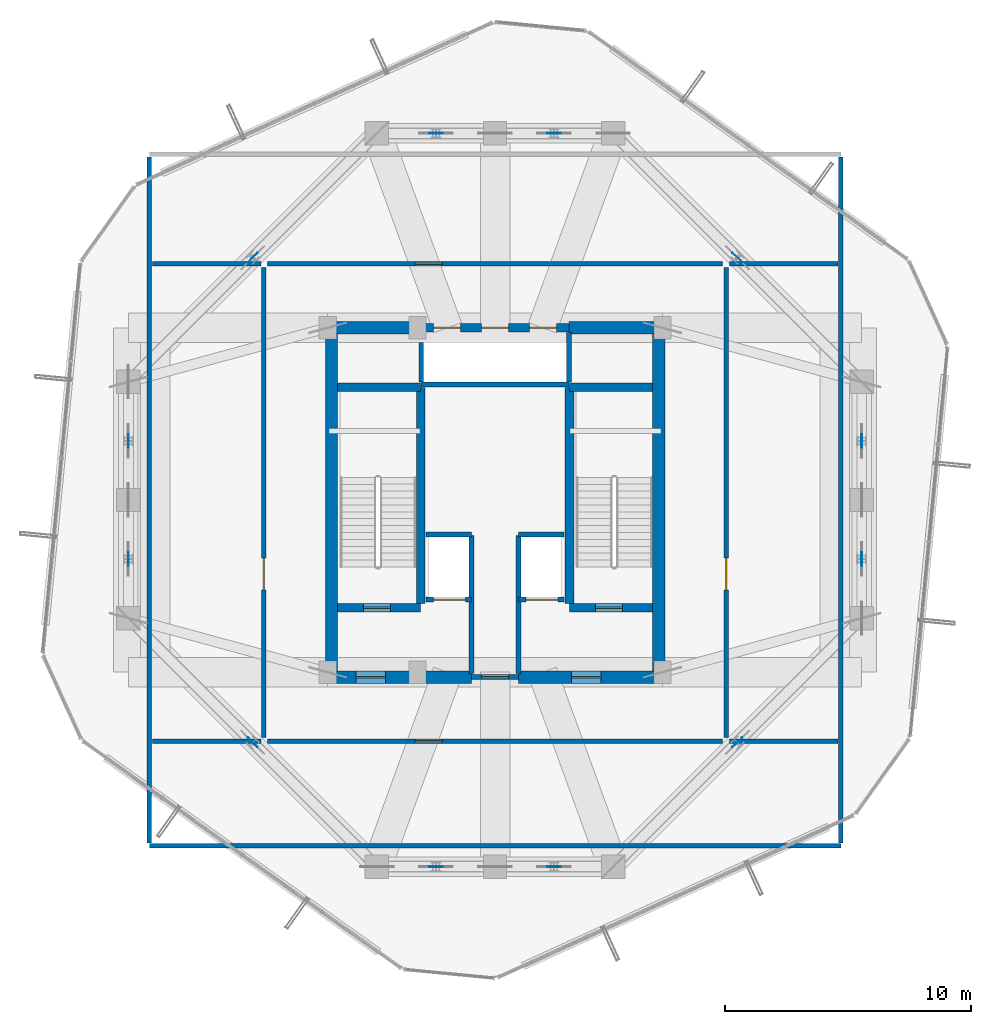
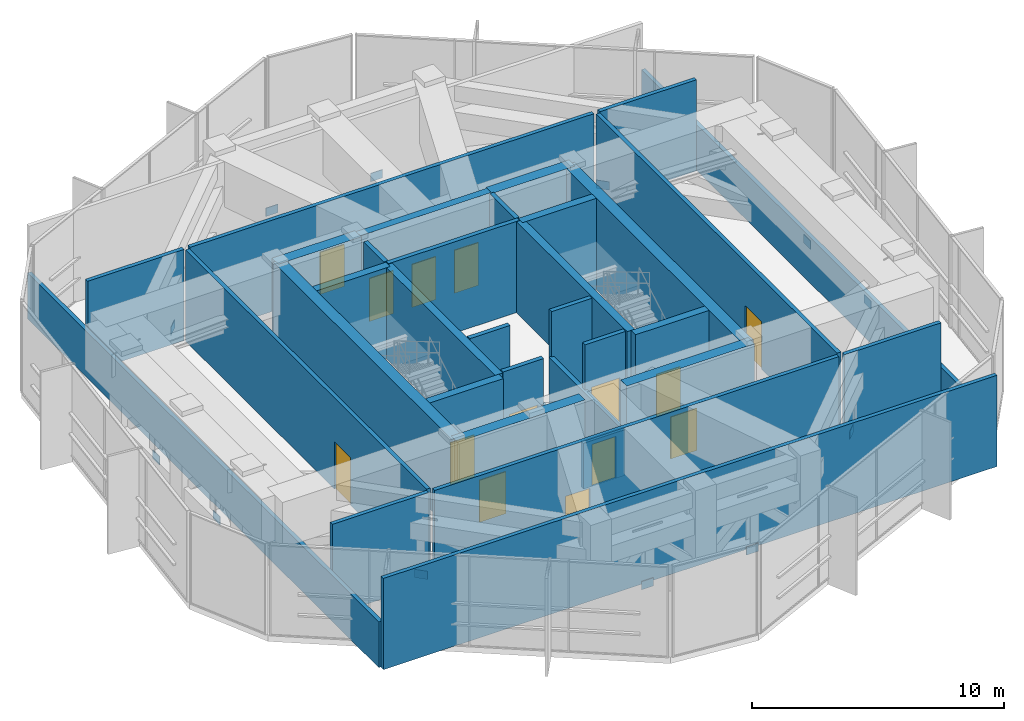
# One storey, part 28 of 31: 34 walls, 14 doors, 12 plates, 14 openings.
"""IFC4 building model written with IfcOpenShell, lengths in metres."""

from ifc_helpers import new_model, si_unit, direction, frame, frame_2d, origin, origin_2d, place, context, subcontext, project, spatial, rectangle, extrude, source, transform, mapped, material, layer, layer_set, type_object, element, fill, save


model = new_model("IFC4")

# Units and contexts
model_context = context("Model", 3, precision=1e-05, world=origin(), true_north=direction((0.0, 1.0)))
body_context = subcontext(model_context, "Body", "Model", "MODEL_VIEW")
ifc_project = project(units=[si_unit("LENGTHUNIT", "METRE"), si_unit("AREAUNIT", "SQUARE_METRE"), si_unit("VOLUMEUNIT", "CUBIC_METRE"), si_unit("PLANEANGLEUNIT", "RADIAN"), si_unit("MASSUNIT", "GRAM", prefix="KILO")], contexts=[model_context])

# Site, building, storey
site_placement = place(None, origin())
site = spatial("IfcSite", under=ifc_project, at=site_placement, CompositionType="ELEMENT")
building_placement = place(site_placement, origin())
building = spatial("IfcBuilding", under=site, at=building_placement, Name="Veraguas Prism Commons", CompositionType="ELEMENT")
storey_placement = place(building_placement, frame((0.0, 0.0, 225.39990234375)))
storey = spatial("IfcBuildingStorey", under=building, at=storey_placement, Name="L64", CompositionType="ELEMENT", Elevation=225.39990234375)

# Plates
ifc_material_1 = material(Name="Steel ASTM A572 Grade 50", Category="steel")
ifc_layer_1 = layer(ifc_material_1, 0.030029296875, Name="Hollow Brace End Cap Plate 550x400x30", Category="steel")
ifc_layer_set_1 = layer_set([ifc_layer_1], Name="Steel ASTM A572 Grade 50")
plate_type = type_object("IfcPlateType", Name="Hollow Brace End Cap Plate 550x400x30", PredefinedType="USERDEFINED", material=ifc_layer_set_1)
shared_shape_1 = source(origin(), body_context, "Body", "SweptSolid", [
    extrude(rectangle(XDim=0.550048828125, YDim=0.030029296875, at=origin_2d()), origin(), (0.0, 0.0, 1.0), 0.39990234375),
])
for number, where, z_axis, x_axis, name in (
    (1, (38.89990234375, 21.60009765625, 0.35009765625), (0.0, 0.0, 1.0), (0.0, 1.0, 0.0), "Hollow Brace End Cap Plate L64-01"),
    (2, (38.89990234375, 26.39990234375, 0.35009765625), (0.0, 0.0, 1.0), (0.0, 1.0, 0.0), "Hollow Brace End Cap Plate L64-02"),
    (3, (33.85009765625, 33.85009765625, 0.35009765625), (0.0, 0.0, 1.0), (-0.707106781187, 0.707106781187, 0.0), "Hollow Brace End Cap Plate L64-03"),
    (4, (26.39990234375, 38.89990234375, 0.35009765625), (0.0, 0.0, 1.0), (-1.0, 0.0, 0.0), "Hollow Brace End Cap Plate L64-04"),
    (5, (21.60009765625, 38.89990234375, 0.35009765625), (0.0, 0.0, 1.0), (-1.0, 0.0, 0.0), "Hollow Brace End Cap Plate L64-05"),
    (6, (14.14990234375, 33.85009765625, 0.35009765625), (0.0, 0.0, 1.0), (-0.707106781187, -0.707106781187, 0.0), "Hollow Brace End Cap Plate L64-06"),
    (7, (9.10009765625, 26.39990234375, 0.35009765625), (0.0, 0.0, 1.0), (0.0, -1.0, 0.0), "Hollow Brace End Cap Plate L64-07"),
    (8, (9.10009765625, 21.60009765625, 0.35009765625), (0.0, 0.0, 1.0), (0.0, -1.0, 0.0), "Hollow Brace End Cap Plate L64-08"),
    (9, (14.14990234375, 14.14990234375, 0.35009765625), (0.0, 0.0, 1.0), (0.707106781187, -0.707106781187, 0.0), "Hollow Brace End Cap Plate L64-09"),
    (10, (21.60009765625, 9.10009765625, 0.35009765625), (0.0, 0.0, 1.0), (1.0, 0.0, 0.0), "Hollow Brace End Cap Plate L64-10"),
    (11, (26.39990234375, 9.10009765625, 0.35009765625), (0.0, 0.0, 1.0), (1.0, 0.0, 0.0), "Hollow Brace End Cap Plate L64-11"),
    (12, (33.85009765625, 14.14990234375, 0.35009765625), (0.0, 0.0, 1.0), (0.707106781187, 0.707106781187, 0.0), "Hollow Brace End Cap Plate L64-12"),
):
    element("IfcPlate", number, at=place(storey_placement, frame(where, z_axis=z_axis, x_axis=x_axis)), inside=storey, type_object=plate_type, Name=name, ObjectType="STIFFENER PLATE", PredefinedType="USERDEFINED", context=body_context, shape_type="MappedRepresentation", body=[
        mapped(shared_shape_1, transform((0.0, 0.0, 0.0), scale=1.0)),
    ])

# Wall, openings, doors
ifc_material_2 = material(Name="Concrete C50/60", Category="concrete")
ifc_layer_2 = layer(ifc_material_2, 0.35009765625, Name="Core Internal Shear Wall Upper RC 350", Category="concrete")
ifc_layer_set_2 = layer_set([ifc_layer_2], Name="Concrete C50/60")
wall_type_1 = type_object("IfcWallType", Name="Core Internal Shear Wall Upper RC 350", PredefinedType="SHEAR", material=ifc_layer_set_2)
wall_1_placement = place(storey_placement, frame((21.0, 31.0, 0.0), z_axis=(0.0, 0.0, 1.0), x_axis=(1.0, 0.0, 0.0)))
wall_1 = element("IfcWall", 13, at=wall_1_placement, inside=storey, type_object=wall_type_1, Name="High-Rise Lift Bank Front Shear Wall L64", PredefinedType="SHEAR", context=body_context, shape_type="SweptSolid", body=[
    extrude(rectangle(XDim=6.0, YDim=0.35009765625, at=frame_2d((3.0, 0.0))), origin(), (0.0, 0.0, 1.0), 4.4150390625),
])
opening_1_placement = place(wall_1_placement, frame((0.5, 0.0, 0.0)))
opening_1 = element("IfcOpeningElement", 14, at=opening_1_placement, cuts=wall_1, Name="Opening LD-01", PredefinedType="OPENING", context=body_context, shape_type="SweptSolid", body=[
    extrude(rectangle(XDim=1.10009765625, YDim=2.080078125, at=frame_2d((0.550048828125, 1.0400390625))), frame((0.0, 0.18505859375, 0.0), z_axis=(0.0, -1.0, 0.0), x_axis=(1.0, 0.0, 0.0)), (0.0, 0.0, 1.0), 0.3701171875),
])
opening_2_placement = place(wall_1_placement, frame((2.449951171875, 0.0, 0.0)))
opening_2 = element("IfcOpeningElement", 15, at=opening_2_placement, cuts=wall_1, Name="Opening LD-01", PredefinedType="OPENING", context=body_context, shape_type="SweptSolid", body=[
    extrude(rectangle(XDim=1.10009765625, YDim=2.080078125, at=frame_2d((0.550048828125, 1.0400390625))), frame((0.0, 0.18505859375, 0.0), z_axis=(0.0, -1.0, 0.0), x_axis=(1.0, 0.0, 0.0)), (0.0, 0.0, 1.0), 0.3701171875),
])
opening_3_placement = place(wall_1_placement, frame((4.39990234375, 0.0, 0.0)))
opening_3 = element("IfcOpeningElement", 16, at=opening_3_placement, cuts=wall_1, Name="Opening LD-01", PredefinedType="OPENING", context=body_context, shape_type="SweptSolid", body=[
    extrude(rectangle(XDim=1.10009765625, YDim=2.080078125, at=frame_2d((0.550048828125, 1.0400390625))), frame((0.0, 0.18505859375, 0.0), z_axis=(0.0, -1.0, 0.0), x_axis=(1.0, 0.0, 0.0)), (0.0, 0.0, 1.0), 0.3701171875),
])
ifc_material_3 = material(Name="Stainless steel AISI 316", Category="steel")
door_type_1 = type_object("IfcDoorType", Name="Passenger Lift Sliding Landing Door 1100x2080", OperationType="NOTDEFINED", PredefinedType="DOOR", material=ifc_material_3)
shared_shape_2 = source(origin(), body_context, "Body", "SweptSolid", [
    extrude(rectangle(XDim=1.10009765625, YDim=2.080078125, at=frame_2d((0.550048828125, 1.0400390625))), frame((0.0, 0.02490234375, 0.0), z_axis=(0.0, -1.0, 0.0), x_axis=(1.0, 0.0, 0.0)), (0.0, 0.0, 1.0), 0.050048828125),
])
door_1_placement = place(opening_1_placement, origin())
door_1 = element("IfcDoor", 17, at=door_1_placement, inside=storey, type_object=door_type_1, Name="Sliding Landing Door PL-H1 L64", OperationType="SLIDING_TO_LEFT", OverallHeight=2.080078125, OverallWidth=1.10009765625, PredefinedType="DOOR", context=body_context, shape_type="MappedRepresentation", body=[
    mapped(shared_shape_2, transform((0.0, 0.0, 0.0), scale=1.0)),
])
fill(opening_1, door_1)
door_2_placement = place(opening_2_placement, origin())
door_2 = element("IfcDoor", 18, at=door_2_placement, inside=storey, type_object=door_type_1, Name="Sliding Landing Door PL-H2 L64", OperationType="SLIDING_TO_LEFT", OverallHeight=2.080078125, OverallWidth=1.10009765625, PredefinedType="DOOR", context=body_context, shape_type="MappedRepresentation", body=[
    mapped(shared_shape_2, transform((0.0, 0.0, 0.0), scale=1.0)),
])
fill(opening_2, door_2)
door_3_placement = place(opening_3_placement, origin())
door_3 = element("IfcDoor", 19, at=door_3_placement, inside=storey, type_object=door_type_1, Name="Sliding Landing Door PL-H3 L64", OperationType="SLIDING_TO_LEFT", OverallHeight=2.080078125, OverallWidth=1.10009765625, PredefinedType="DOOR", context=body_context, shape_type="MappedRepresentation", body=[
    mapped(shared_shape_2, transform((0.0, 0.0, 0.0), scale=1.0)),
])
fill(opening_3, door_3)

# Wall, opening, door
wall_2_placement = place(storey_placement, frame((17.60009765625, 19.625, 0.0), z_axis=(0.0, 0.0, 1.0), x_axis=(1.0, 0.0, 0.0)))
wall_2 = element("IfcWall", 20, at=wall_2_placement, inside=storey, type_object=wall_type_1, Name="Stair ST-01 South Shear Wall L64", PredefinedType="SHEAR", context=body_context, shape_type="SweptSolid", body=[
    extrude(rectangle(XDim=3.375, YDim=0.35009765625, at=frame_2d((1.6875, 0.0))), origin(), (0.0, 0.0, 1.0), 4.4150390625),
])
opening_4_placement = place(wall_2_placement, frame((1.050048828125, 0.0, 0.0)))
opening_4 = element("IfcOpeningElement", 21, at=opening_4_placement, cuts=wall_2, Name="Opening DR-05", PredefinedType="OPENING", context=body_context, shape_type="SweptSolid", body=[
    extrude(rectangle(XDim=1.10009765625, YDim=2.030029296875, at=frame_2d((0.550048828125, 1.01513671875))), frame((0.0, 0.18505859375, 0.0), z_axis=(0.0, -1.0, 0.0), x_axis=(1.0, 0.0, 0.0)), (0.0, 0.0, 1.0), 0.3701171875),
])
ifc_material_4 = material(Name="Steel fire-rated door assembly", Category="steel")
door_type_2 = type_object("IfcDoorType", Name="Protected Stair and Refuge Fire Door 1100x2030", OperationType="NOTDEFINED", PredefinedType="DOOR", material=ifc_material_4)
shared_shape_3 = source(origin(), body_context, "Body", "SweptSolid", [
    extrude(rectangle(XDim=1.10009765625, YDim=2.030029296875, at=frame_2d((0.550048828125, 1.01513671875))), frame((0.0, 0.02490234375, 0.0), z_axis=(0.0, -1.0, 0.0), x_axis=(1.0, 0.0, 0.0)), (0.0, 0.0, 1.0), 0.050048828125),
])
door_4_placement = place(opening_4_placement, origin())
door_4 = element("IfcDoor", 22, at=door_4_placement, inside=storey, type_object=door_type_2, Name="Stair ST-01 Enclosure Door L64", OperationType="SINGLE_SWING_LEFT", OverallHeight=2.030029296875, OverallWidth=1.10009765625, PredefinedType="DOOR", context=body_context, shape_type="MappedRepresentation", body=[
    mapped(shared_shape_3, transform((0.0, 0.0, 0.0), scale=1.0)),
])
fill(opening_4, door_4)

wall_3_placement = place(storey_placement, frame((27.02490234375, 19.625, 0.0), z_axis=(0.0, 0.0, 1.0), x_axis=(1.0, 0.0, 0.0)))
wall_3 = element("IfcWall", 23, at=wall_3_placement, inside=storey, type_object=wall_type_1, Name="Stair ST-02 South Shear Wall L64", PredefinedType="SHEAR", context=body_context, shape_type="SweptSolid", body=[
    extrude(rectangle(XDim=3.375, YDim=0.35009765625, at=frame_2d((1.6875, 0.0))), origin(), (0.0, 0.0, 1.0), 4.4150390625),
])
opening_5_placement = place(wall_3_placement, frame((1.050048828125, 0.0, 0.0)))
opening_5 = element("IfcOpeningElement", 24, at=opening_5_placement, cuts=wall_3, Name="Opening DR-05", PredefinedType="OPENING", context=body_context, shape_type="SweptSolid", body=[
    extrude(rectangle(XDim=1.10009765625, YDim=2.030029296875, at=frame_2d((0.550048828125, 1.01513671875))), frame((0.0, 0.18505859375, 0.0), z_axis=(0.0, -1.0, 0.0), x_axis=(1.0, 0.0, 0.0)), (0.0, 0.0, 1.0), 0.3701171875),
])
door_5_placement = place(opening_5_placement, origin())
door_5 = element("IfcDoor", 25, at=door_5_placement, inside=storey, type_object=door_type_2, Name="Stair ST-02 Enclosure Door L64", OperationType="SINGLE_SWING_RIGHT", OverallHeight=2.030029296875, OverallWidth=1.10009765625, PredefinedType="DOOR", context=body_context, shape_type="MappedRepresentation", body=[
    mapped(shared_shape_3, transform((0.0, 0.0, 0.0), scale=1.0)),
])
fill(opening_5, door_5)

# Walls
for number, where, z_axis, x_axis, name in (
    (26, (20.97509765625, 19.800048828125, 0.0), (0.0, 0.0, 1.0), (0.0, 1.0, 0.0), "Stair ST-01 Inner Shear Wall L64"),
    (27, (27.02490234375, 19.800048828125, 0.0), (0.0, 0.0, 1.0), (0.0, 1.0, 0.0), "Stair ST-02 Inner Shear Wall L64"),
):
    element("IfcWall", number, at=place(storey_placement, frame(where, z_axis=z_axis, x_axis=x_axis)), inside=storey, type_object=wall_type_1, Name=name, PredefinedType="SHEAR", context=body_context, shape_type="SweptSolid", body=[
        extrude(rectangle(XDim=8.77490234375, YDim=0.35009765625, at=frame_2d((4.387451171875, 0.0))), origin(), (0.0, 0.0, 1.0), 4.4150390625),
    ])
for number, where, z_axis, x_axis, name in (
    (28, (17.60009765625, 28.574951171875, 0.0), (0.0, 0.0, 1.0), (1.0, 0.0, 0.0), "Stair ST-01 North Shear Wall L64"),
    (29, (27.02490234375, 28.574951171875, 0.0), (0.0, 0.0, 1.0), (1.0, 0.0, 0.0), "Stair ST-02 North Shear Wall L64"),
):
    element("IfcWall", number, at=place(storey_placement, frame(where, z_axis=z_axis, x_axis=x_axis)), inside=storey, type_object=wall_type_1, Name=name, PredefinedType="SHEAR", context=body_context, shape_type="SweptSolid", body=[
        extrude(rectangle(XDim=3.375, YDim=0.35009765625, at=frame_2d((1.6875, 0.0))), origin(), (0.0, 0.0, 1.0), 4.4150390625),
    ])
ifc_layer_3 = layer(ifc_material_2, 0.5, Name="Core Outer Shear Wall Upper RC 500", Category="concrete")
ifc_layer_set_3 = layer_set([ifc_layer_3], Name="Concrete C50/60")
wall_type_2 = type_object("IfcWallType", Name="Core Outer Shear Wall Upper RC 500", PredefinedType="SHEAR", material=ifc_layer_set_3)
for number, where, z_axis, x_axis, name in (
    (30, (17.35009765625, 16.800048828125, 0.0), (0.0, 0.0, 1.0), (0.0, 1.0, 0.0), "Central Core West Shear Wall L64"),
    (31, (30.64990234375, 16.800048828125, 0.0), (0.0, 0.0, 1.0), (0.0, 1.0, 0.0), "Central Core East Shear Wall L64"),
):
    element("IfcWall", number, at=place(storey_placement, frame(where, z_axis=z_axis, x_axis=x_axis)), inside=storey, type_object=wall_type_2, Name=name, PredefinedType="SHEAR", context=body_context, shape_type="SweptSolid", body=[
        extrude(rectangle(XDim=14.199951171875, YDim=0.5, at=frame_2d((7.10009765625, 0.0))), origin(), (0.0, 0.0, 1.0), 4.4150390625),
    ])

# Wall, opening, door
wall_4_placement = place(storey_placement, frame((17.199951171875, 16.800048828125, 0.0), z_axis=(0.0, 0.0, 1.0), x_axis=(1.0, 0.0, 0.0)))
wall_4 = element("IfcWall", 32, at=wall_4_placement, inside=storey, type_object=wall_type_2, Name="Central Core South-West Shear Wall L64", PredefinedType="SHEAR", context=body_context, shape_type="SweptSolid", body=[
    extrude(rectangle(XDim=5.85009765625, YDim=0.5, at=frame_2d((2.925048828125, 0.0))), origin(), (0.0, 0.0, 1.0), 4.4150390625),
])
opening_6_placement = place(wall_4_placement, frame((1.14990234375, 0.0, 0.0)))
opening_6 = element("IfcOpeningElement", 33, at=opening_6_placement, cuts=wall_4, Name="Opening DR-06", PredefinedType="OPENING", context=body_context, shape_type="SweptSolid", body=[
    extrude(rectangle(XDim=1.199951171875, YDim=2.030029296875, at=frame_2d((0.60009765625, 1.01513671875))), frame((0.0, 0.260009765625, 0.0), z_axis=(0.0, -1.0, 0.0), x_axis=(1.0, 0.0, 0.0)), (0.0, 0.0, 1.0), 0.52001953125),
])
door_type_3 = type_object("IfcDoorType", Name="Firefighting Lobby Smoke Door 1200x2030", OperationType="NOTDEFINED", PredefinedType="DOOR", material=ifc_material_4)
shared_shape_4 = source(origin(), body_context, "Body", "SweptSolid", [
    extrude(rectangle(XDim=1.199951171875, YDim=2.030029296875, at=frame_2d((0.60009765625, 1.01513671875))), frame((0.0, 0.02490234375, 0.0), z_axis=(0.0, -1.0, 0.0), x_axis=(1.0, 0.0, 0.0)), (0.0, 0.0, 1.0), 0.050048828125),
])
door_6_placement = place(opening_6_placement, origin())
door_6 = element("IfcDoor", 34, at=door_6_placement, inside=storey, type_object=door_type_3, Name="West FF Lobby Door L64", OperationType="SINGLE_SWING_RIGHT", OverallHeight=2.030029296875, OverallWidth=1.199951171875, PredefinedType="DOOR", context=body_context, shape_type="MappedRepresentation", body=[
    mapped(shared_shape_4, transform((0.0, 0.0, 0.0), scale=1.0)),
])
fill(opening_6, door_6)

wall_5_placement = place(storey_placement, frame((24.949951171875, 16.800048828125, 0.0), z_axis=(0.0, 0.0, 1.0), x_axis=(1.0, 0.0, 0.0)))
wall_5 = element("IfcWall", 35, at=wall_5_placement, inside=storey, type_object=wall_type_2, Name="Central Core South-East Shear Wall L64", PredefinedType="SHEAR", context=body_context, shape_type="SweptSolid", body=[
    extrude(rectangle(XDim=5.85009765625, YDim=0.5, at=frame_2d((2.925048828125, 0.0))), origin(), (0.0, 0.0, 1.0), 4.4150390625),
])
opening_7_placement = place(wall_5_placement, frame((2.14990234375, 0.0, 0.0)))
opening_7 = element("IfcOpeningElement", 36, at=opening_7_placement, cuts=wall_5, Name="Opening DR-06", PredefinedType="OPENING", context=body_context, shape_type="SweptSolid", body=[
    extrude(rectangle(XDim=1.199951171875, YDim=2.030029296875, at=frame_2d((0.60009765625, 1.01513671875))), frame((0.0, 0.260009765625, 0.0), z_axis=(0.0, -1.0, 0.0), x_axis=(1.0, 0.0, 0.0)), (0.0, 0.0, 1.0), 0.52001953125),
])
door_7_placement = place(opening_7_placement, origin())
door_7 = element("IfcDoor", 37, at=door_7_placement, inside=storey, type_object=door_type_3, Name="East FF Lobby Door L64", OperationType="SINGLE_SWING_RIGHT", OverallHeight=2.030029296875, OverallWidth=1.199951171875, PredefinedType="DOOR", context=body_context, shape_type="MappedRepresentation", body=[
    mapped(shared_shape_4, transform((0.0, 0.0, 0.0), scale=1.0)),
])
fill(opening_7, door_7)

# Walls
for number, where, z_axis, x_axis, name in (
    (38, (17.199951171875, 31.0, 0.0), (0.0, 0.0, 1.0), (1.0, 0.0, 0.0), "Central Core North-West Shear Wall L64"),
    (39, (27.0, 31.0, 0.0), (0.0, 0.0, 1.0), (1.0, 0.0, 0.0), "Central Core North-East Shear Wall L64"),
):
    element("IfcWall", number, at=place(storey_placement, frame(where, z_axis=z_axis, x_axis=x_axis)), inside=storey, type_object=wall_type_2, Name=name, PredefinedType="SHEAR", context=body_context, shape_type="SweptSolid", body=[
        extrude(rectangle(XDim=3.800048828125, YDim=0.5, at=frame_2d((1.89990234375, 0.0))), origin(), (0.0, 0.0, 1.0), 4.4150390625),
    ])

# Wall, opening, door
ifc_material_5 = material(Name="Autoclaved aerated masonry block 10 MPa", Category="masonry")
ifc_layer_4 = layer(ifc_material_5, 0.179931640625, Name="Corridor and Inter-Tenancy Partition 180", Category="masonry")
ifc_layer_set_4 = layer_set([ifc_layer_4], Name="Autoclaved aerated masonry block 10 MPa")
wall_type_3 = type_object("IfcWallType", Name="Corridor and Inter-Tenancy Partition 180", PredefinedType="PARTITIONING", material=ifc_layer_set_4)
wall_6_placement = place(storey_placement, frame((14.75, 14.199951171875, 0.0), z_axis=(0.0, 0.0, 1.0), x_axis=(1.0, 0.0, 0.0)))
wall_6 = element("IfcWall", 40, at=wall_6_placement, inside=storey, type_object=wall_type_3, Name="WL-L64-PLWS", PredefinedType="PARTITIONING", context=body_context, shape_type="SweptSolid", body=[
    extrude(rectangle(XDim=18.5, YDim=0.179931640625, at=frame_2d((9.25, 0.0))), origin(), (0.0, 0.0, 1.0), 4.4150390625),
])
opening_8_placement = place(wall_6_placement, frame((6.0, 0.0, 0.0)))
opening_8 = element("IfcOpeningElement", 41, at=opening_8_placement, cuts=wall_6, Name="Opening DR-05", PredefinedType="OPENING", context=body_context, shape_type="SweptSolid", body=[
    extrude(rectangle(XDim=1.10009765625, YDim=2.030029296875, at=frame_2d((0.550048828125, 1.01513671875))), frame((0.0, 0.099853515625, 0.0), z_axis=(0.0, -1.0, 0.0), x_axis=(1.0, 0.0, 0.0)), (0.0, 0.0, 1.0), 0.199951171875),
])
door_8_placement = place(opening_8_placement, origin())
door_8 = element("IfcDoor", 42, at=door_8_placement, inside=storey, type_object=door_type_2, Name="Protected Refuge Area L64 Door", OperationType="SINGLE_SWING_LEFT", OverallHeight=2.030029296875, OverallWidth=1.10009765625, PredefinedType="DOOR", context=body_context, shape_type="MappedRepresentation", body=[
    mapped(shared_shape_3, transform((0.0, 0.0, 0.0), scale=1.0)),
])
fill(opening_8, door_8)

wall_7_placement = place(storey_placement, frame((33.39990234375, 14.35009765625, 0.0), z_axis=(0.0, 0.0, 1.0), x_axis=(0.0, 1.0, 0.0)))
wall_7 = element("IfcWall", 43, at=wall_7_placement, inside=storey, type_object=wall_type_3, Name="WL-L64-PLWE", PredefinedType="PARTITIONING", context=body_context, shape_type="SweptSolid", body=[
    extrude(rectangle(XDim=19.099853515625, YDim=0.179931640625, at=frame_2d((9.5498046875, 0.0))), origin(), (0.0, 0.0, 1.0), 4.4150390625),
])
opening_9_placement = place(wall_7_placement, frame((6.0, 0.0, 0.0)))
opening_9 = element("IfcOpeningElement", 44, at=opening_9_placement, cuts=wall_7, Name="Opening DR-11", PredefinedType="OPENING", context=body_context, shape_type="SweptSolid", body=[
    extrude(rectangle(XDim=1.300048828125, YDim=2.300048828125, at=frame_2d((0.64990234375, 1.14990234375))), frame((0.0, 0.099853515625, 0.0), z_axis=(0.0, -1.0, 0.0), x_axis=(1.0, 0.0, 0.0)), (0.0, 0.0, 1.0), 0.199951171875),
])
door_type_4 = type_object("IfcDoorType", Name="Mechanical Plant Room Door 1300x2300", OperationType="NOTDEFINED", PredefinedType="DOOR", material=ifc_material_4)
shared_shape_5 = source(origin(), body_context, "Body", "SweptSolid", [
    extrude(rectangle(XDim=1.300048828125, YDim=2.300048828125, at=frame_2d((0.64990234375, 1.14990234375))), frame((0.0, 0.02490234375, 0.0), z_axis=(0.0, -1.0, 0.0), x_axis=(1.0, 0.0, 0.0)), (0.0, 0.0, 1.0), 0.050048828125),
])
door_9_placement = place(opening_9_placement, origin())
door_9 = element("IfcDoor", 45, at=door_9_placement, inside=storey, type_object=door_type_4, Name="Domestic Water Pump and Switchgear Plant Door", OperationType="SINGLE_SWING_RIGHT", OverallHeight=2.300048828125, OverallWidth=1.300048828125, PredefinedType="DOOR", context=body_context, shape_type="MappedRepresentation", body=[
    mapped(shared_shape_5, transform((0.0, 0.0, 0.0), scale=1.0)),
])
fill(opening_9, door_9)

wall_8_placement = place(storey_placement, frame((14.75, 33.60009765625, 0.0), z_axis=(0.0, 0.0, 1.0), x_axis=(1.0, 0.0, 0.0)))
wall_8 = element("IfcWall", 46, at=wall_8_placement, inside=storey, type_object=wall_type_3, Name="WL-L64-PLWN", PredefinedType="PARTITIONING", context=body_context, shape_type="SweptSolid", body=[
    extrude(rectangle(XDim=18.5, YDim=0.179931640625, at=frame_2d((9.25, 0.0))), origin(), (0.0, 0.0, 1.0), 4.4150390625),
])
opening_10_placement = place(wall_8_placement, frame((6.0, 0.0, 0.0)))
opening_10 = element("IfcOpeningElement", 47, at=opening_10_placement, cuts=wall_8, Name="Opening DR-05", PredefinedType="OPENING", context=body_context, shape_type="SweptSolid", body=[
    extrude(rectangle(XDim=1.10009765625, YDim=2.030029296875, at=frame_2d((0.550048828125, 1.01513671875))), frame((0.0, 0.099853515625, 0.0), z_axis=(0.0, -1.0, 0.0), x_axis=(1.0, 0.0, 0.0)), (0.0, 0.0, 1.0), 0.199951171875),
])
door_10_placement = place(opening_10_placement, origin())
door_10 = element("IfcDoor", 48, at=door_10_placement, inside=storey, type_object=door_type_2, Name="Chiller and Heat Exchanger Plant Door", OperationType="SINGLE_SWING_LEFT", OverallHeight=2.030029296875, OverallWidth=1.10009765625, PredefinedType="DOOR", context=body_context, shape_type="MappedRepresentation", body=[
    mapped(shared_shape_3, transform((0.0, 0.0, 0.0), scale=1.0)),
])
fill(opening_10, door_10)

wall_9_placement = place(storey_placement, frame((14.60009765625, 14.35009765625, 0.0), z_axis=(0.0, 0.0, 1.0), x_axis=(0.0, 1.0, 0.0)))
wall_9 = element("IfcWall", 49, at=wall_9_placement, inside=storey, type_object=wall_type_3, Name="WL-L64-PLWW", PredefinedType="PARTITIONING", context=body_context, shape_type="SweptSolid", body=[
    extrude(rectangle(XDim=19.099853515625, YDim=0.179931640625, at=frame_2d((9.5498046875, 0.0))), origin(), (0.0, 0.0, 1.0), 4.4150390625),
])
opening_11_placement = place(wall_9_placement, frame((6.0, 0.0, 0.0)))
opening_11 = element("IfcOpeningElement", 50, at=opening_11_placement, cuts=wall_9, Name="Opening DR-11", PredefinedType="OPENING", context=body_context, shape_type="SweptSolid", body=[
    extrude(rectangle(XDim=1.300048828125, YDim=2.300048828125, at=frame_2d((0.64990234375, 1.14990234375))), frame((0.0, 0.099853515625, 0.0), z_axis=(0.0, -1.0, 0.0), x_axis=(1.0, 0.0, 0.0)), (0.0, 0.0, 1.0), 0.199951171875),
])
door_11_placement = place(opening_11_placement, origin())
door_11 = element("IfcDoor", 51, at=door_11_placement, inside=storey, type_object=door_type_4, Name="Air Handling Mechanical Plant Door", OperationType="SINGLE_SWING_RIGHT", OverallHeight=2.300048828125, OverallWidth=1.300048828125, PredefinedType="DOOR", context=body_context, shape_type="MappedRepresentation", body=[
    mapped(shared_shape_5, transform((0.0, 0.0, 0.0), scale=1.0)),
])
fill(opening_11, door_11)

# Walls
wall_10_placement = place(storey_placement, frame((9.949951171875, 9.949951171875, 0.0), z_axis=(0.0, 0.0, 1.0), x_axis=(1.0, 0.0, 0.0)))
element("IfcWall", 52, at=wall_10_placement, inside=storey, type_object=wall_type_3, Name="WL-L64-PLPS", PredefinedType="PARTITIONING", context=body_context, shape_type="SweptSolid", body=[
    extrude(rectangle(XDim=28.10009765625, YDim=0.179931640625, at=frame_2d((14.050048828125, 0.0))), origin(), (0.0, 0.0, 1.0), 4.4150390625),
])
for number, where, z_axis, x_axis, name in (
    (53, (9.949951171875, 10.070068359375, 0.0), (0.0, 0.0, 1.0), (0.0, 1.0, 0.0), "WL-L64-PLPW"),
    (54, (38.050048828125, 10.070068359375, 0.0), (0.0, 0.0, 1.0), (0.0, 1.0, 0.0), "WL-L64-PLPE"),
):
    element("IfcWall", number, at=place(storey_placement, frame(where, z_axis=z_axis, x_axis=x_axis)), inside=storey, type_object=wall_type_3, Name=name, PredefinedType="PARTITIONING", context=body_context, shape_type="SweptSolid", body=[
        extrude(rectangle(XDim=27.85986328125, YDim=0.179931640625, at=frame_2d((13.929931640625, 0.0))), origin(), (0.0, 0.0, 1.0), 2.215087890625),
    ])
for number, where, z_axis, x_axis, name in (
    (55, (10.070068359375, 14.199951171875, 0.0), (0.0, 0.0, 1.0), (1.0, 0.0, 0.0), "WL-L64-PLDSW"),
    (56, (33.52001953125, 14.199951171875, 0.0), (0.0, 0.0, 1.0), (1.0, 0.0, 0.0), "WL-L64-PLDSE"),
    (57, (10.070068359375, 33.60009765625, 0.0), (0.0, 0.0, 1.0), (1.0, 0.0, 0.0), "WL-L64-PLDNW"),
    (58, (33.52001953125, 33.60009765625, 0.0), (0.0, 0.0, 1.0), (1.0, 0.0, 0.0), "WL-L64-PLDNE"),
):
    element("IfcWall", number, at=place(storey_placement, frame(where, z_axis=z_axis, x_axis=x_axis)), inside=storey, type_object=wall_type_3, Name=name, PredefinedType="PARTITIONING", context=body_context, shape_type="SweptSolid", body=[
        extrude(rectangle(XDim=4.409912109375, YDim=0.179931640625, at=frame_2d((2.205078125, 0.0))), origin(), (0.0, 0.0, 1.0), 4.4150390625),
    ])

# Wall, opening, door
ifc_layer_5 = layer(ifc_material_5, 0.199951171875, Name="Rated Shaft and Lobby Block Wall 200", Category="masonry")
ifc_layer_set_5 = layer_set([ifc_layer_5], Name="Autoclaved aerated masonry block 10 MPa")
wall_type_4 = type_object("IfcWallType", Name="Rated Shaft and Lobby Block Wall 200", PredefinedType="SOLIDWALL", material=ifc_layer_set_5)
wall_11_placement = place(storey_placement, frame((23.050048828125, 16.800048828125, 0.0), z_axis=(0.0, 0.0, 1.0), x_axis=(1.0, 0.0, 0.0)))
wall_11 = element("IfcWall", 59, at=wall_11_placement, inside=storey, type_object=wall_type_4, Name="Central Core Lobby Entrance Wall L64", PredefinedType="SOLIDWALL", context=body_context, shape_type="SweptSolid", body=[
    extrude(rectangle(XDim=1.89990234375, YDim=0.199951171875, at=frame_2d((0.949951171875, 0.0))), origin(), (0.0, 0.0, 1.0), 2.215087890625),
])
opening_12_placement = place(wall_11_placement, frame((0.39990234375, 0.0, 0.0)))
opening_12 = element("IfcOpeningElement", 60, at=opening_12_placement, cuts=wall_11, Name="Opening DR-05", PredefinedType="OPENING", context=body_context, shape_type="SweptSolid", body=[
    extrude(rectangle(XDim=1.10009765625, YDim=2.030029296875, at=frame_2d((0.550048828125, 1.01513671875))), frame((0.0, 0.10986328125, 0.0), z_axis=(0.0, -1.0, 0.0), x_axis=(1.0, 0.0, 0.0)), (0.0, 0.0, 1.0), 0.219970703125),
])
door_12_placement = place(opening_12_placement, origin())
door_12 = element("IfcDoor", 61, at=door_12_placement, inside=storey, type_object=door_type_2, Name="Central Lobby Door L64", OperationType="SINGLE_SWING_LEFT", OverallHeight=2.030029296875, OverallWidth=1.10009765625, PredefinedType="DOOR", context=body_context, shape_type="MappedRepresentation", body=[
    mapped(shared_shape_3, transform((0.0, 0.0, 0.0), scale=1.0)),
])
fill(opening_12, door_12)

wall_12_placement = place(storey_placement, frame((21.199951171875, 19.949951171875, 0.0), z_axis=(0.0, 0.0, 1.0), x_axis=(1.0, 0.0, 0.0)))
wall_12 = element("IfcWall", 62, at=wall_12_placement, inside=storey, type_object=wall_type_4, Name="Firefighting Lift FFL-1 Front Wall L64", PredefinedType="SOLIDWALL", context=body_context, shape_type="SweptSolid", body=[
    extrude(rectangle(XDim=1.85009765625, YDim=0.199951171875, at=frame_2d((0.925048828125, 0.0))), origin(), (0.0, 0.0, 1.0), 4.4150390625),
])
opening_13_placement = place(wall_12_placement, frame((0.300048828125, 0.0, 0.0)))
opening_13 = element("IfcOpeningElement", 63, at=opening_13_placement, cuts=wall_12, Name="Opening LD-02", PredefinedType="OPENING", context=body_context, shape_type="SweptSolid", body=[
    extrude(rectangle(XDim=1.300048828125, YDim=2.25, at=frame_2d((0.64990234375, 1.125))), frame((0.0, 0.10986328125, 0.0), z_axis=(0.0, -1.0, 0.0), x_axis=(1.0, 0.0, 0.0)), (0.0, 0.0, 1.0), 0.219970703125),
])
door_type_5 = type_object("IfcDoorType", Name="Firefighting Lift Sliding Landing Door 1300x2250", OperationType="NOTDEFINED", PredefinedType="DOOR", material=ifc_material_3)
shared_shape_6 = source(origin(), body_context, "Body", "SweptSolid", [
    extrude(rectangle(XDim=1.300048828125, YDim=2.25, at=frame_2d((0.64990234375, 1.125))), frame((0.0, 0.02490234375, 0.0), z_axis=(0.0, -1.0, 0.0), x_axis=(1.0, 0.0, 0.0)), (0.0, 0.0, 1.0), 0.050048828125),
])
door_13_placement = place(opening_13_placement, origin())
door_13 = element("IfcDoor", 64, at=door_13_placement, inside=storey, type_object=door_type_5, Name="Firefighting Lift FFL-1 Landing Door L64", OperationType="SLIDING_TO_LEFT", OverallHeight=2.25, OverallWidth=1.300048828125, PredefinedType="DOOR", context=body_context, shape_type="MappedRepresentation", body=[
    mapped(shared_shape_6, transform((0.0, 0.0, 0.0), scale=1.0)),
])
fill(opening_13, door_13)

wall_13_placement = place(storey_placement, frame((24.949951171875, 19.949951171875, 0.0), z_axis=(0.0, 0.0, 1.0), x_axis=(1.0, 0.0, 0.0)))
wall_13 = element("IfcWall", 65, at=wall_13_placement, inside=storey, type_object=wall_type_4, Name="Firefighting Lift FFL-2 Front Wall L64", PredefinedType="SOLIDWALL", context=body_context, shape_type="SweptSolid", body=[
    extrude(rectangle(XDim=1.85009765625, YDim=0.199951171875, at=frame_2d((0.925048828125, 0.0))), origin(), (0.0, 0.0, 1.0), 4.4150390625),
])
opening_14_placement = place(wall_13_placement, frame((0.300048828125, 0.0, 0.0)))
opening_14 = element("IfcOpeningElement", 66, at=opening_14_placement, cuts=wall_13, Name="Opening LD-02", PredefinedType="OPENING", context=body_context, shape_type="SweptSolid", body=[
    extrude(rectangle(XDim=1.300048828125, YDim=2.25, at=frame_2d((0.64990234375, 1.125))), frame((0.0, 0.10986328125, 0.0), z_axis=(0.0, -1.0, 0.0), x_axis=(1.0, 0.0, 0.0)), (0.0, 0.0, 1.0), 0.219970703125),
])
door_14_placement = place(opening_14_placement, origin())
door_14 = element("IfcDoor", 67, at=door_14_placement, inside=storey, type_object=door_type_5, Name="Firefighting Lift FFL-2 Front Wall L64", OperationType="SLIDING_TO_LEFT", OverallHeight=2.25, OverallWidth=1.300048828125, PredefinedType="DOOR", context=body_context, shape_type="MappedRepresentation", body=[
    mapped(shared_shape_6, transform((0.0, 0.0, 0.0), scale=1.0)),
])
fill(opening_14, door_14)

# Walls
for number, where, z_axis, x_axis, name in (
    (68, (23.050048828125, 16.949951171875, 0.0), (0.0, 0.0, 1.0), (0.0, 1.0, 0.0), "West FF Lobby Divider Wall L64"),
    (69, (24.949951171875, 16.949951171875, 0.0), (0.0, 0.0, 1.0), (0.0, 1.0, 0.0), "East FF Lobby Divider Wall L64"),
):
    element("IfcWall", number, at=place(storey_placement, frame(where, z_axis=z_axis, x_axis=x_axis)), inside=storey, type_object=wall_type_4, Name=name, PredefinedType="SOLIDWALL", context=body_context, shape_type="SweptSolid", body=[
        extrude(rectangle(XDim=5.60009765625, YDim=0.199951171875, at=frame_2d((2.800048828125, 0.0))), origin(), (0.0, 0.0, 1.0), 2.215087890625),
    ])
for number, where, z_axis, x_axis, name in (
    (70, (21.199951171875, 22.60009765625, 0.0), (0.0, 0.0, 1.0), (1.0, 0.0, 0.0), "Firefighting Lift FFL-1 Rear Wall L64"),
    (71, (24.949951171875, 22.60009765625, 0.0), (0.0, 0.0, 1.0), (1.0, 0.0, 0.0), "Firefighting Lift FFL-2 Rear Wall L64"),
):
    element("IfcWall", number, at=place(storey_placement, frame(where, z_axis=z_axis, x_axis=x_axis)), inside=storey, type_object=wall_type_4, Name=name, PredefinedType="SOLIDWALL", context=body_context, shape_type="SweptSolid", body=[
        extrude(rectangle(XDim=1.85009765625, YDim=0.199951171875, at=frame_2d((0.925048828125, 0.0))), origin(), (0.0, 0.0, 1.0), 4.4150390625),
    ])
wall_14_placement = place(storey_placement, frame((21.0, 28.699951171875, 0.0), z_axis=(0.0, 0.0, 1.0), x_axis=(1.0, 0.0, 0.0)))
element("IfcWall", 72, at=wall_14_placement, inside=storey, type_object=wall_type_4, Name="High-Rise Lift Bank Rear Shaft Wall L64", PredefinedType="SOLIDWALL", context=body_context, shape_type="SweptSolid", body=[
    extrude(rectangle(XDim=6.0, YDim=0.199951171875, at=frame_2d((3.0, 0.0))), origin(), (0.0, 0.0, 1.0), 4.4150390625),
])
wall_15_placement = place(storey_placement, frame((21.0, 28.800048828125, 0.0), z_axis=(0.0, 0.0, 1.0), x_axis=(0.0, 1.0, 0.0)))
element("IfcWall", 73, at=wall_15_placement, inside=storey, type_object=wall_type_4, Name="High-Rise Lift Bank West Shaft Wall L64", PredefinedType="SOLIDWALL", context=body_context, shape_type="SweptSolid", body=[
    extrude(rectangle(XDim=1.599853515625, YDim=0.199951171875, at=frame_2d((0.7998046875, 0.0))), origin(), (0.0, 0.0, 1.0), 4.4150390625),
])
wall_16_placement = place(storey_placement, frame((27.0, 28.800048828125, 0.0), z_axis=(0.0, 0.0, 1.0), x_axis=(0.0, 1.0, 0.0)))
element("IfcWall", 74, at=wall_16_placement, inside=storey, type_object=wall_type_4, Name="High-Rise Lift Bank East Shaft Wall L64", PredefinedType="SOLIDWALL", context=body_context, shape_type="SweptSolid", body=[
    extrude(rectangle(XDim=2.0, YDim=0.199951171875, at=frame_2d((1.0, 0.0))), origin(), (0.0, 0.0, 1.0), 4.4150390625),
])

save(model, "model.ifc")
